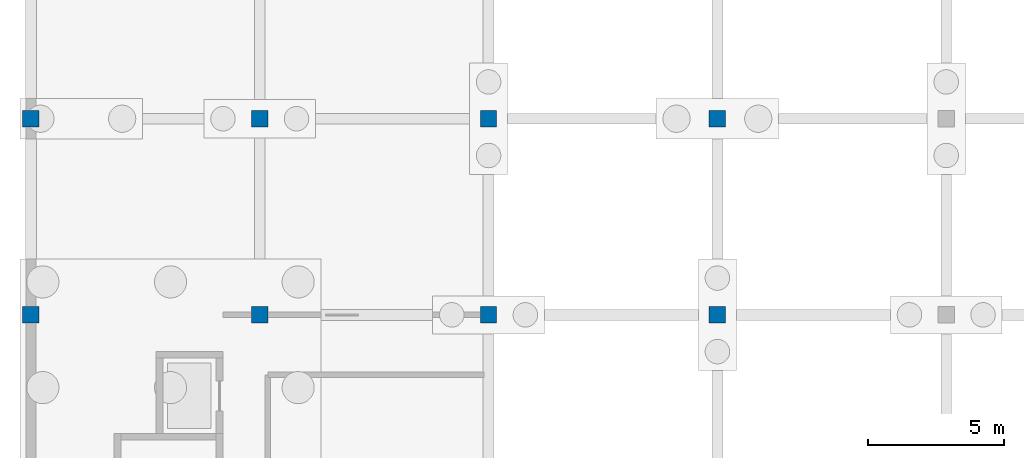
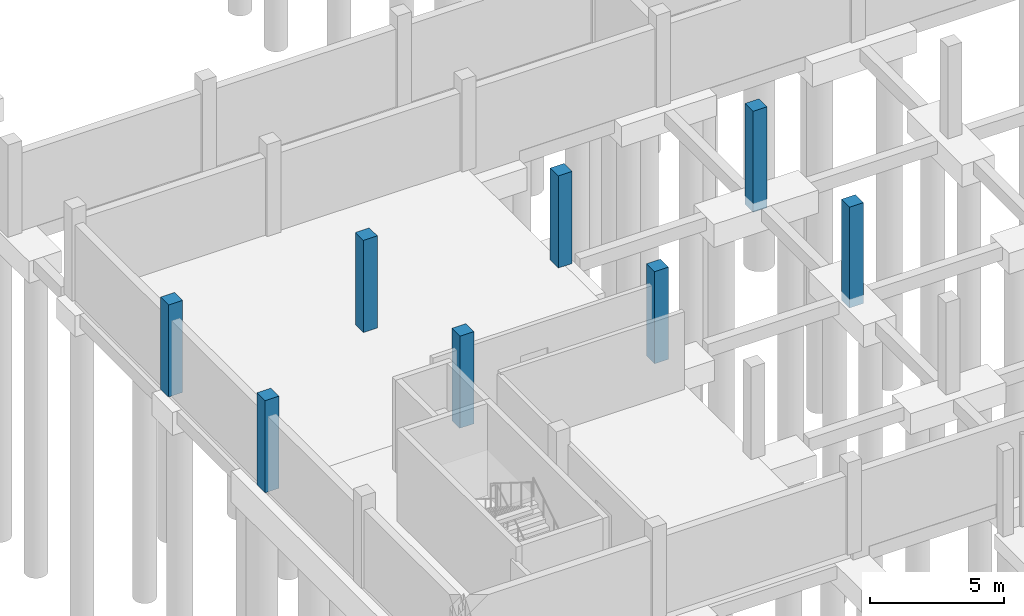
# One storey, part 9 of 22: 8 columns.
"""IFC4 building model written with IfcOpenShell, lengths in metres."""

from ifc_helpers import new_model, si_unit, direction, frame, origin, origin_2d, place, context, subcontext, project, spatial, rectangle, extrude, material, material_profile, profile_set, type_object, element, save


model = new_model("IFC4")

# Units and contexts
model_context = context("Model", 3, precision=1e-05, world=origin(), true_north=direction((0.0, 1.0)))
body_context = subcontext(model_context, "Body", "Model", "MODEL_VIEW")
ifc_project = project(units=[si_unit("LENGTHUNIT", "METRE"), si_unit("AREAUNIT", "SQUARE_METRE"), si_unit("VOLUMEUNIT", "CUBIC_METRE"), si_unit("PLANEANGLEUNIT", "RADIAN"), si_unit("MASSUNIT", "GRAM", prefix="KILO")], contexts=[model_context])

# Site, building, storey
site_placement = place(None, origin())
site = spatial("IfcSite", under=ifc_project, at=site_placement, CompositionType="ELEMENT")
building_placement = place(site_placement, origin())
building = spatial("IfcBuilding", under=site, at=building_placement, Name="Kahlenmark Community Centre", CompositionType="ELEMENT")
storey_placement = place(building_placement, frame((0.0, 0.0, -4.199951171875)))
storey = spatial("IfcBuildingStorey", under=building, at=storey_placement, Name="B1", CompositionType="ELEMENT", Elevation=-4.199951171875)

# Columns
ifc_material = material(Name="Concrete C35/45", Category="concrete")
ifc_material_profile = material_profile(ifc_material, rectangle(XDim=0.60009765625, YDim=0.60009765625, at=origin_2d()), Name="RC 600x600")
ifc_profile_set = profile_set([ifc_material_profile], Name="Concrete C35/45")
column_type = type_object("IfcColumnType", Name="CT-RC600", PredefinedType="COLUMN", material=ifc_profile_set)
for number, where, z_axis, x_axis, name in (
    (1, (4.0, 23.199951171875, 0.0), (0.0, 0.0, 1.0), (1.0, 0.0, 0.0), "B1 column (4.0, 23.2)"),
    (2, (4.0, 30.39990234375, 0.0), (0.0, 0.0, 1.0), (1.0, 0.0, 0.0), "B1 column (4.0, 30.4)"),
    (3, (12.39990234375, 23.199951171875, 0.0), (0.0, 0.0, 1.0), (1.0, 0.0, 0.0), "B1 column (12.4, 23.2)"),
    (4, (12.39990234375, 30.39990234375, 0.0), (0.0, 0.0, 1.0), (1.0, 0.0, 0.0), "B1 column (12.4, 30.4)"),
    (5, (20.800048828125, 23.199951171875, 0.0), (0.0, 0.0, 1.0), (1.0, 0.0, 0.0), "B1 column (20.8, 23.2)"),
    (6, (20.800048828125, 30.39990234375, 0.0), (0.0, 0.0, 1.0), (1.0, 0.0, 0.0), "B1 column (20.8, 30.4)"),
):
    element("IfcColumn", number, at=place(storey_placement, frame(where, z_axis=z_axis, x_axis=x_axis)), inside=storey, type_object=column_type, Name=name, PredefinedType="COLUMN", context=body_context, shape_type="SweptSolid", body=[
        extrude(rectangle(XDim=0.60009765625, YDim=0.60009765625, at=origin_2d()), origin(), (0.0, 0.0, 1.0), 4.199951171875),
    ])
for number, where, z_axis, x_axis, name in (
    (7, (29.199951171875, 23.199951171875, -0.400146484375), (0.0, 0.0, 1.0), (1.0, 0.0, 0.0), "B1 column (29.2, 23.2)"),
    (8, (29.199951171875, 30.39990234375, -0.400146484375), (0.0, 0.0, 1.0), (1.0, 0.0, 0.0), "B1 column (29.2, 30.4)"),
):
    element("IfcColumn", number, at=place(storey_placement, frame(where, z_axis=z_axis, x_axis=x_axis)), inside=storey, type_object=column_type, Name=name, PredefinedType="COLUMN", context=body_context, shape_type="SweptSolid", body=[
        extrude(rectangle(XDim=0.60009765625, YDim=0.60009765625, at=origin_2d()), origin(), (0.0, 0.0, 1.0), 4.60009765625),
    ])

save(model, "model.ifc")
